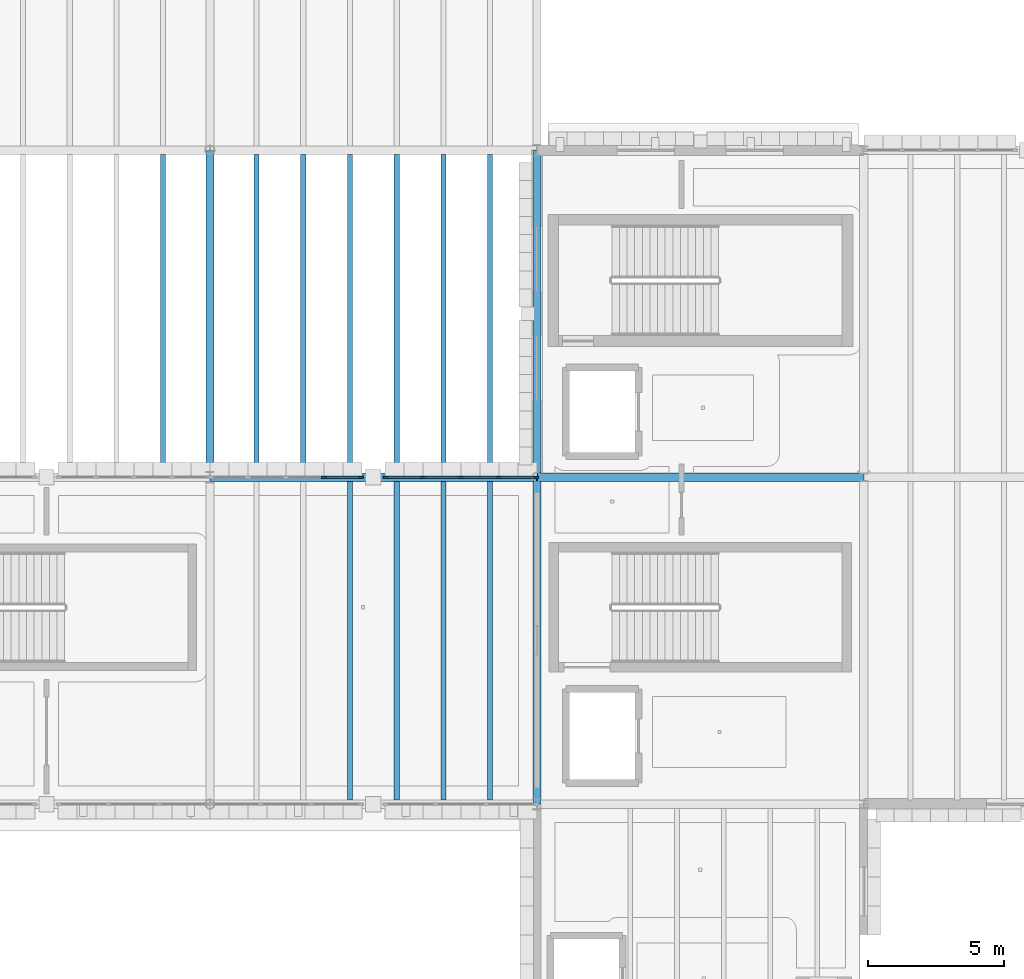
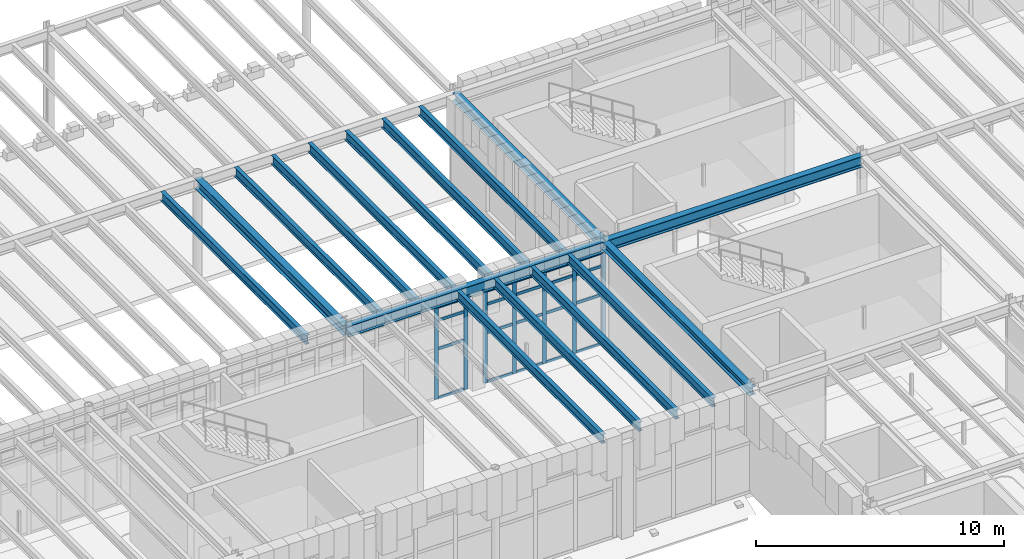
# One storey, part 35 of 100: 27 members, 16 beams, 2 elements without a shape of their own.
"""IFC4 building model written with IfcOpenShell, lengths in metres."""

from ifc_helpers import new_model, si_unit, direction, frame, origin, origin_2d, place, context, subcontext, project, spatial, rectangle, i_section, extrude, material, layer, layer_set, material_profile, profile_set, type_object, element, aggregate, save


model = new_model("IFC4")

# Units and contexts
model_context = context("Model", 3, precision=1e-05, world=origin(), true_north=direction((0.0, 1.0)))
body_context = subcontext(model_context, "Body", "Model", "MODEL_VIEW")
ifc_project = project(units=[si_unit("LENGTHUNIT", "METRE"), si_unit("AREAUNIT", "SQUARE_METRE"), si_unit("VOLUMEUNIT", "CUBIC_METRE"), si_unit("PLANEANGLEUNIT", "RADIAN"), si_unit("MASSUNIT", "GRAM", prefix="KILO")], contexts=[model_context])

# Site, building, storey
site_placement = place(None, origin())
site = spatial("IfcSite", under=ifc_project, at=site_placement, CompositionType="ELEMENT")
building_placement = place(site_placement, origin())
building = spatial("IfcBuilding", under=site, at=building_placement, Name="Zlatogorsky Bluff Art Gallery", CompositionType="ELEMENT")
storey_placement = place(building_placement, frame((0.0, 0.0, 5.39990234375)))
storey = spatial("IfcBuildingStorey", under=building, at=storey_placement, Name="L01", CompositionType="ELEMENT", Elevation=5.39990234375)

# Beams
ifc_material_1 = material(Name="Steel S355", Category="steel")
ifc_material_profile_1 = material_profile(ifc_material_1, i_section(OverallWidth=0.300048828125, OverallDepth=0.5400390625, WebThickness=0.012451171875, FlangeThickness=0.02392578125, FilletRadius=0.027099609375, at=origin_2d()), Name="HEA 550")
ifc_profile_set_1 = profile_set([ifc_material_profile_1], Name="Steel S355")
beam_type_1 = type_object("IfcBeamType", Name="Beam BM-06 HEA 550", PredefinedType="BEAM", material=ifc_profile_set_1)
for number, where, z_axis, x_axis, name in (
    (1, (108.014892578125, 96.0, 4.840087890625), (1.0, 0.0, 0.0), (0.0, 1.0, 0.0), "Primary girder BM-06 L01 K-L/10"),
    (2, (120.014892578125, 96.0, 4.840087890625), (1.0, 0.0, 0.0), (0.0, 1.0, 0.0), "Primary girder BM-06 L01 L-M/10"),
):
    element("IfcBeam", number, at=place(storey_placement, frame(where, z_axis=z_axis, x_axis=x_axis)), inside=storey, type_object=beam_type_1, Name=name, PredefinedType="BEAM", context=body_context, shape_type="SweptSolid", body=[
        extrude(i_section(OverallWidth=0.300048828125, OverallDepth=0.5400390625, WebThickness=0.012451171875, FlangeThickness=0.02392578125, FilletRadius=0.027099609375, at=origin_2d()), origin(), (0.0, 0.0, 1.0), 11.97021484375),
    ])
ifc_material_profile_2 = material_profile(ifc_material_1, i_section(OverallWidth=0.300048828125, OverallDepth=0.489990234375, WebThickness=0.011962890625, FlangeThickness=0.02294921875, FilletRadius=0.027099609375, at=origin_2d()), Name="HEA 500")
ifc_profile_set_2 = profile_set([ifc_material_profile_2], Name="Steel S355")
beam_type_2 = type_object("IfcBeamType", Name="Beam BM-07 HEA 500", PredefinedType="BEAM", material=ifc_profile_set_2)
beam_placement = place(storey_placement, frame((108.0, 96.014892578125, 4.864990234375), z_axis=(0.0, 1.0, 0.0), x_axis=(-1.0, 0.0, 0.0)))
element("IfcBeam", 3, at=beam_placement, inside=storey, type_object=beam_type_2, Name="Primary girder BM-07 L01 K/10-11", PredefinedType="BEAM", context=body_context, shape_type="SweptSolid", body=[
    extrude(i_section(OverallWidth=0.300048828125, OverallDepth=0.489990234375, WebThickness=0.011962890625, FlangeThickness=0.02294921875, FilletRadius=0.027099609375, at=origin_2d()), origin(), (0.0, 0.0, 1.0), 11.97021484375),
])
ifc_material_profile_3 = material_profile(ifc_material_1, i_section(OverallWidth=0.300048828125, OverallDepth=0.389892578125, WebThickness=0.010986328125, FlangeThickness=0.01904296875, FilletRadius=0.027099609375, at=origin_2d()), Name="HEA 400")
ifc_profile_set_3 = profile_set([ifc_material_profile_3], Name="Steel S355")
beam_type_3 = type_object("IfcBeamType", Name="Beam BM-09 HEA 400", PredefinedType="BEAM", material=ifc_profile_set_3)
for number, where, z_axis, x_axis, name in (
    (4, (120.0, 84.014892578125, 4.9150390625), (0.0, 1.0, 0.0), (-1.0, 0.0, 0.0), "Primary girder BM-09 L01 L/9-10"),
    (5, (120.0, 96.014892578125, 4.9150390625), (0.0, 1.0, 0.0), (-1.0, 0.0, 0.0), "Primary girder BM-09 L01 L/10-11"),
):
    element("IfcBeam", number, at=place(storey_placement, frame(where, z_axis=z_axis, x_axis=x_axis)), inside=storey, type_object=beam_type_3, Name=name, PredefinedType="BEAM", context=body_context, shape_type="SweptSolid", body=[
        extrude(i_section(OverallWidth=0.300048828125, OverallDepth=0.389892578125, WebThickness=0.010986328125, FlangeThickness=0.01904296875, FilletRadius=0.027099609375, at=origin_2d()), origin(), (0.0, 0.0, 1.0), 11.97021484375),
    ])
ifc_material_profile_4 = material_profile(ifc_material_1, i_section(OverallWidth=0.18994140625, OverallDepth=0.449951171875, WebThickness=0.009521484375, FlangeThickness=0.0146484375, FilletRadius=0.02099609375, at=origin_2d()), Name="IPE 450")
ifc_profile_set_4 = profile_set([ifc_material_profile_4], Name="Steel S355")
beam_type_4 = type_object("IfcBeamType", Name="Beam JS-06 IPE 450", PredefinedType="JOIST", material=ifc_profile_set_4)
for number, where, z_axis, x_axis, name in (
    (6, (106.28564453125, 96.14990234375, 4.885009765625), (0.0, 1.0, 0.0), (-1.0, 0.0, 0.0), "Composite floor joist JS-06 L01 08.09.6"),
    (7, (113.142822265625, 84.14990234375, 4.885009765625), (0.0, 1.0, 0.0), (-1.0, 0.0, 0.0), "Composite floor joist JS-06 L01 09.08.3"),
    (8, (114.857177734375, 84.14990234375, 4.885009765625), (0.0, 1.0, 0.0), (-1.0, 0.0, 0.0), "Composite floor joist JS-06 L01 09.08.4"),
    (9, (116.571533203125, 84.14990234375, 4.885009765625), (0.0, 1.0, 0.0), (-1.0, 0.0, 0.0), "Composite floor joist JS-06 L01 09.08.5"),
    (10, (118.28564453125, 84.14990234375, 4.885009765625), (0.0, 1.0, 0.0), (-1.0, 0.0, 0.0), "Composite floor joist JS-06 L01 09.08.6"),
    (11, (109.71435546875, 96.14990234375, 4.885009765625), (0.0, 1.0, 0.0), (-1.0, 0.0, 0.0), "Composite floor joist JS-06 L01 09.09.1"),
    (12, (111.428466796875, 96.14990234375, 4.885009765625), (0.0, 1.0, 0.0), (-1.0, 0.0, 0.0), "Composite floor joist JS-06 L01 09.09.2"),
    (13, (113.142822265625, 96.14990234375, 4.885009765625), (0.0, 1.0, 0.0), (-1.0, 0.0, 0.0), "Composite floor joist JS-06 L01 09.09.3"),
    (14, (114.857177734375, 96.14990234375, 4.885009765625), (0.0, 1.0, 0.0), (-1.0, 0.0, 0.0), "Composite floor joist JS-06 L01 09.09.4"),
    (15, (116.571533203125, 96.14990234375, 4.885009765625), (0.0, 1.0, 0.0), (-1.0, 0.0, 0.0), "Composite floor joist JS-06 L01 09.09.5"),
    (16, (118.28564453125, 96.14990234375, 4.885009765625), (0.0, 1.0, 0.0), (-1.0, 0.0, 0.0), "Composite floor joist JS-06 L01 09.09.6"),
):
    element("IfcBeam", number, at=place(storey_placement, frame(where, z_axis=z_axis, x_axis=x_axis)), inside=storey, type_object=beam_type_4, Name=name, PredefinedType="JOIST", context=body_context, shape_type="SweptSolid", body=[
        extrude(i_section(OverallWidth=0.18994140625, OverallDepth=0.449951171875, WebThickness=0.009521484375, FlangeThickness=0.0146484375, FilletRadius=0.02099609375, at=origin_2d()), origin(), (0.0, 0.0, 1.0), 11.7001953125),
    ])

# Curtain wall, members
ifc_material_2 = material(Name="Anodised Bronze Aluminium and Low-Iron Triple Glazing", Category="aluminium")
ifc_layer = layer(ifc_material_2, 0.199951171875)
ifc_layer_set = layer_set([ifc_layer], Name="Curtain Wall CW-02")
curtain_wall_type = type_object("IfcCurtainWallType", Name="Curtain Wall CW-02", PredefinedType="USERDEFINED", material=ifc_layer_set)
curtain_wall_1_placement = place(storey_placement, origin())
curtain_wall_1 = element("IfcCurtainWall", 17, at=curtain_wall_1_placement, inside=storey, type_object=curtain_wall_type, Name="Unitised curtain wall CW-02 L01 N 9.8-A", ObjectType="CURTAIN WALL", PredefinedType="USERDEFINED")
ifc_material_3 = material(Name="Anodised Bronze Aluminium", Category="aluminium")
ifc_material_profile_5 = material_profile(ifc_material_3, rectangle(XDim=0.06494140625, YDim=0.179931640625, at=origin_2d()), Name="ALU MULLION 65x180")
ifc_profile_set_5 = profile_set([ifc_material_profile_5], Name="Anodised Bronze Aluminium")
member_type_1 = type_object("IfcMemberType", Name="Curtain Mullion ML-01", PredefinedType="MULLION", material=ifc_profile_set_5)
member_1_placement = place(storey_placement, frame((119.967529296875, 96.0, 0.0), z_axis=(0.0, 0.0, 1.0), x_axis=(0.0, -1.0, 0.0)))
member_1 = element("IfcMember", 18, at=member_1_placement, type_object=member_type_1, Name="CW-02 mullion 1", PredefinedType="MULLION", context=body_context, shape_type="SweptSolid", body=[
    extrude(rectangle(XDim=0.06494140625, YDim=0.179931640625, at=origin_2d()), origin(), (0.0, 0.0, 1.0), 4.530029296875),
])
member_2_placement = place(storey_placement, frame((118.60498046875, 96.0, 0.0), z_axis=(0.0, 0.0, 1.0), x_axis=(0.0, -1.0, 0.0)))
member_2 = element("IfcMember", 19, at=member_2_placement, type_object=member_type_1, Name="CW-02 mullion 2", PredefinedType="MULLION", context=body_context, shape_type="SweptSolid", body=[
    extrude(rectangle(XDim=0.06494140625, YDim=0.179931640625, at=origin_2d()), origin(), (0.0, 0.0, 1.0), 4.530029296875),
])
member_3_placement = place(storey_placement, frame((117.2099609375, 96.0, 0.0), z_axis=(0.0, 0.0, 1.0), x_axis=(0.0, -1.0, 0.0)))
member_3 = element("IfcMember", 20, at=member_3_placement, type_object=member_type_1, Name="CW-02 mullion 3", PredefinedType="MULLION", context=body_context, shape_type="SweptSolid", body=[
    extrude(rectangle(XDim=0.06494140625, YDim=0.179931640625, at=origin_2d()), origin(), (0.0, 0.0, 1.0), 4.530029296875),
])
member_4_placement = place(storey_placement, frame((115.81494140625, 96.0, 0.0), z_axis=(0.0, 0.0, 1.0), x_axis=(0.0, -1.0, 0.0)))
member_4 = element("IfcMember", 21, at=member_4_placement, type_object=member_type_1, Name="CW-02 mullion 4", PredefinedType="MULLION", context=body_context, shape_type="SweptSolid", body=[
    extrude(rectangle(XDim=0.06494140625, YDim=0.179931640625, at=origin_2d()), origin(), (0.0, 0.0, 1.0), 4.530029296875),
])
member_5_placement = place(storey_placement, frame((114.452392578125, 96.0, 0.0), z_axis=(0.0, 0.0, 1.0), x_axis=(0.0, -1.0, 0.0)))
member_5 = element("IfcMember", 22, at=member_5_placement, type_object=member_type_1, Name="CW-02 mullion 5", PredefinedType="MULLION", context=body_context, shape_type="SweptSolid", body=[
    extrude(rectangle(XDim=0.06494140625, YDim=0.179931640625, at=origin_2d()), origin(), (0.0, 0.0, 1.0), 4.530029296875),
])

curtain_wall_2_placement = place(storey_placement, origin())
curtain_wall_2 = element("IfcCurtainWall", 23, at=curtain_wall_2_placement, inside=storey, type_object=curtain_wall_type, Name="Unitised curtain wall CW-02 L01 N 9.8-B", ObjectType="CURTAIN WALL", PredefinedType="USERDEFINED")
member_6_placement = place(storey_placement, frame((113.547607421875, 96.0, 0.0), z_axis=(0.0, 0.0, 1.0), x_axis=(0.0, -1.0, 0.0)))
member_6 = element("IfcMember", 24, at=member_6_placement, type_object=member_type_1, Name="CW-02 mullion 1", PredefinedType="MULLION", context=body_context, shape_type="SweptSolid", body=[
    extrude(rectangle(XDim=0.06494140625, YDim=0.179931640625, at=origin_2d()), origin(), (0.0, 0.0, 1.0), 4.530029296875),
])
member_7_placement = place(storey_placement, frame((112.18505859375, 96.0, 0.0), z_axis=(0.0, 0.0, 1.0), x_axis=(0.0, -1.0, 0.0)))
member_7 = element("IfcMember", 25, at=member_7_placement, type_object=member_type_1, Name="CW-02 mullion 2", PredefinedType="MULLION", context=body_context, shape_type="SweptSolid", body=[
    extrude(rectangle(XDim=0.06494140625, YDim=0.179931640625, at=origin_2d()), origin(), (0.0, 0.0, 1.0), 4.530029296875),
])

# Member
ifc_material_profile_6 = material_profile(ifc_material_3, rectangle(XDim=0.06494140625, YDim=0.139892578125, at=origin_2d()), Name="ALU TRANSOM 65x140")
ifc_profile_set_6 = profile_set([ifc_material_profile_6], Name="Anodised Bronze Aluminium")
member_type_2 = type_object("IfcMemberType", Name="Curtain Transom TR-01", PredefinedType="USERDEFINED", material=ifc_profile_set_6)
member_8_placement = place(storey_placement, frame((119.93505859375, 96.0, 0.03271484375), z_axis=(-1.0, 0.0, 0.0), x_axis=(0.0, -1.0, 0.0)))
member_8 = element("IfcMember", 26, at=member_8_placement, type_object=member_type_2, Name="CW-02 transom 1.1", ObjectType="TRANSOM", PredefinedType="USERDEFINED", context=body_context, shape_type="SweptSolid", body=[
    extrude(rectangle(XDim=0.06494140625, YDim=0.139892578125, at=origin_2d()), origin(), (0.0, 0.0, 1.0), 1.297607421875),
])

member_9_placement = place(storey_placement, frame((119.93505859375, 96.0, 2.4501953125), z_axis=(-1.0, 0.0, 0.0), x_axis=(0.0, -1.0, 0.0)))
member_9 = element("IfcMember", 27, at=member_9_placement, type_object=member_type_2, Name="CW-02 transom 1.2", ObjectType="TRANSOM", PredefinedType="USERDEFINED", context=body_context, shape_type="SweptSolid", body=[
    extrude(rectangle(XDim=0.06494140625, YDim=0.139892578125, at=origin_2d()), origin(), (0.0, 0.0, 1.0), 1.297607421875),
])

member_10_placement = place(storey_placement, frame((119.93505859375, 96.0, 3.85009765625), z_axis=(-1.0, 0.0, 0.0), x_axis=(0.0, -1.0, 0.0)))
member_10 = element("IfcMember", 28, at=member_10_placement, type_object=member_type_2, Name="CW-02 transom 1.3", ObjectType="TRANSOM", PredefinedType="USERDEFINED", context=body_context, shape_type="SweptSolid", body=[
    extrude(rectangle(XDim=0.06494140625, YDim=0.139892578125, at=origin_2d()), origin(), (0.0, 0.0, 1.0), 1.297607421875),
])

member_11_placement = place(storey_placement, frame((119.93505859375, 96.0, 4.49755859375), z_axis=(-1.0, 0.0, 0.0), x_axis=(0.0, -1.0, 0.0)))
member_11 = element("IfcMember", 29, at=member_11_placement, type_object=member_type_2, Name="CW-02 transom 1.4", ObjectType="TRANSOM", PredefinedType="USERDEFINED", context=body_context, shape_type="SweptSolid", body=[
    extrude(rectangle(XDim=0.06494140625, YDim=0.139892578125, at=origin_2d()), origin(), (0.0, 0.0, 1.0), 1.297607421875),
])

member_12_placement = place(storey_placement, frame((118.572509765625, 96.0, 0.03271484375), z_axis=(-1.0, 0.0, 0.0), x_axis=(0.0, -1.0, 0.0)))
member_12 = element("IfcMember", 30, at=member_12_placement, type_object=member_type_2, Name="CW-02 transom 2.1", ObjectType="TRANSOM", PredefinedType="USERDEFINED", context=body_context, shape_type="SweptSolid", body=[
    extrude(rectangle(XDim=0.06494140625, YDim=0.139892578125, at=origin_2d()), origin(), (0.0, 0.0, 1.0), 1.330078125),
])

member_13_placement = place(storey_placement, frame((118.572509765625, 96.0, 2.4501953125), z_axis=(-1.0, 0.0, 0.0), x_axis=(0.0, -1.0, 0.0)))
member_13 = element("IfcMember", 31, at=member_13_placement, type_object=member_type_2, Name="CW-02 transom 2.2", ObjectType="TRANSOM", PredefinedType="USERDEFINED", context=body_context, shape_type="SweptSolid", body=[
    extrude(rectangle(XDim=0.06494140625, YDim=0.139892578125, at=origin_2d()), origin(), (0.0, 0.0, 1.0), 1.330078125),
])

member_14_placement = place(storey_placement, frame((118.572509765625, 96.0, 3.85009765625), z_axis=(-1.0, 0.0, 0.0), x_axis=(0.0, -1.0, 0.0)))
member_14 = element("IfcMember", 32, at=member_14_placement, type_object=member_type_2, Name="CW-02 transom 2.3", ObjectType="TRANSOM", PredefinedType="USERDEFINED", context=body_context, shape_type="SweptSolid", body=[
    extrude(rectangle(XDim=0.06494140625, YDim=0.139892578125, at=origin_2d()), origin(), (0.0, 0.0, 1.0), 1.330078125),
])

member_15_placement = place(storey_placement, frame((118.572509765625, 96.0, 4.49755859375), z_axis=(-1.0, 0.0, 0.0), x_axis=(0.0, -1.0, 0.0)))
member_15 = element("IfcMember", 33, at=member_15_placement, type_object=member_type_2, Name="CW-02 transom 2.4", ObjectType="TRANSOM", PredefinedType="USERDEFINED", context=body_context, shape_type="SweptSolid", body=[
    extrude(rectangle(XDim=0.06494140625, YDim=0.139892578125, at=origin_2d()), origin(), (0.0, 0.0, 1.0), 1.330078125),
])

member_16_placement = place(storey_placement, frame((117.177490234375, 96.0, 0.03271484375), z_axis=(-1.0, 0.0, 0.0), x_axis=(0.0, -1.0, 0.0)))
member_16 = element("IfcMember", 34, at=member_16_placement, type_object=member_type_2, Name="CW-02 transom 3.1", ObjectType="TRANSOM", PredefinedType="USERDEFINED", context=body_context, shape_type="SweptSolid", body=[
    extrude(rectangle(XDim=0.06494140625, YDim=0.139892578125, at=origin_2d()), origin(), (0.0, 0.0, 1.0), 1.330078125),
])

member_17_placement = place(storey_placement, frame((117.177490234375, 96.0, 2.4501953125), z_axis=(-1.0, 0.0, 0.0), x_axis=(0.0, -1.0, 0.0)))
member_17 = element("IfcMember", 35, at=member_17_placement, type_object=member_type_2, Name="CW-02 transom 3.2", ObjectType="TRANSOM", PredefinedType="USERDEFINED", context=body_context, shape_type="SweptSolid", body=[
    extrude(rectangle(XDim=0.06494140625, YDim=0.139892578125, at=origin_2d()), origin(), (0.0, 0.0, 1.0), 1.330078125),
])

member_18_placement = place(storey_placement, frame((117.177490234375, 96.0, 3.85009765625), z_axis=(-1.0, 0.0, 0.0), x_axis=(0.0, -1.0, 0.0)))
member_18 = element("IfcMember", 36, at=member_18_placement, type_object=member_type_2, Name="CW-02 transom 3.3", ObjectType="TRANSOM", PredefinedType="USERDEFINED", context=body_context, shape_type="SweptSolid", body=[
    extrude(rectangle(XDim=0.06494140625, YDim=0.139892578125, at=origin_2d()), origin(), (0.0, 0.0, 1.0), 1.330078125),
])

member_19_placement = place(storey_placement, frame((117.177490234375, 96.0, 4.49755859375), z_axis=(-1.0, 0.0, 0.0), x_axis=(0.0, -1.0, 0.0)))
member_19 = element("IfcMember", 37, at=member_19_placement, type_object=member_type_2, Name="CW-02 transom 3.4", ObjectType="TRANSOM", PredefinedType="USERDEFINED", context=body_context, shape_type="SweptSolid", body=[
    extrude(rectangle(XDim=0.06494140625, YDim=0.139892578125, at=origin_2d()), origin(), (0.0, 0.0, 1.0), 1.330078125),
])

member_20_placement = place(storey_placement, frame((115.782470703125, 96.0, 0.03271484375), z_axis=(-1.0, 0.0, 0.0), x_axis=(0.0, -1.0, 0.0)))
member_20 = element("IfcMember", 38, at=member_20_placement, type_object=member_type_2, Name="CW-02 transom 4.1", ObjectType="TRANSOM", PredefinedType="USERDEFINED", context=body_context, shape_type="SweptSolid", body=[
    extrude(rectangle(XDim=0.06494140625, YDim=0.139892578125, at=origin_2d()), origin(), (0.0, 0.0, 1.0), 1.29736328125),
])

member_21_placement = place(storey_placement, frame((115.782470703125, 96.0, 2.4501953125), z_axis=(-1.0, 0.0, 0.0), x_axis=(0.0, -1.0, 0.0)))
member_21 = element("IfcMember", 39, at=member_21_placement, type_object=member_type_2, Name="CW-02 transom 4.2", ObjectType="TRANSOM", PredefinedType="USERDEFINED", context=body_context, shape_type="SweptSolid", body=[
    extrude(rectangle(XDim=0.06494140625, YDim=0.139892578125, at=origin_2d()), origin(), (0.0, 0.0, 1.0), 1.29736328125),
])

member_22_placement = place(storey_placement, frame((115.782470703125, 96.0, 3.85009765625), z_axis=(-1.0, 0.0, 0.0), x_axis=(0.0, -1.0, 0.0)))
member_22 = element("IfcMember", 40, at=member_22_placement, type_object=member_type_2, Name="CW-02 transom 4.3", ObjectType="TRANSOM", PredefinedType="USERDEFINED", context=body_context, shape_type="SweptSolid", body=[
    extrude(rectangle(XDim=0.06494140625, YDim=0.139892578125, at=origin_2d()), origin(), (0.0, 0.0, 1.0), 1.29736328125),
])

member_23_placement = place(storey_placement, frame((115.782470703125, 96.0, 4.49755859375), z_axis=(-1.0, 0.0, 0.0), x_axis=(0.0, -1.0, 0.0)))
member_23 = element("IfcMember", 41, at=member_23_placement, type_object=member_type_2, Name="CW-02 transom 4.4", ObjectType="TRANSOM", PredefinedType="USERDEFINED", context=body_context, shape_type="SweptSolid", body=[
    extrude(rectangle(XDim=0.06494140625, YDim=0.139892578125, at=origin_2d()), origin(), (0.0, 0.0, 1.0), 1.29736328125),
])

aggregate(curtain_wall_1, [member_1, member_2, member_3, member_4, member_5, member_8, member_9, member_10, member_11, member_12, member_13, member_14, member_15, member_16, member_17, member_18, member_19, member_20, member_21, member_22, member_23])

member_24_placement = place(storey_placement, frame((113.514892578125, 96.0, 0.03271484375), z_axis=(-1.0, 0.0, 0.0), x_axis=(0.0, -1.0, 0.0)))
member_24 = element("IfcMember", 42, at=member_24_placement, type_object=member_type_2, Name="CW-02 transom 1.1", ObjectType="TRANSOM", PredefinedType="USERDEFINED", context=body_context, shape_type="SweptSolid", body=[
    extrude(rectangle(XDim=0.06494140625, YDim=0.139892578125, at=origin_2d()), origin(), (0.0, 0.0, 1.0), 1.29736328125),
])

member_25_placement = place(storey_placement, frame((113.514892578125, 96.0, 2.4501953125), z_axis=(-1.0, 0.0, 0.0), x_axis=(0.0, -1.0, 0.0)))
member_25 = element("IfcMember", 43, at=member_25_placement, type_object=member_type_2, Name="CW-02 transom 1.2", ObjectType="TRANSOM", PredefinedType="USERDEFINED", context=body_context, shape_type="SweptSolid", body=[
    extrude(rectangle(XDim=0.06494140625, YDim=0.139892578125, at=origin_2d()), origin(), (0.0, 0.0, 1.0), 1.29736328125),
])

member_26_placement = place(storey_placement, frame((113.514892578125, 96.0, 3.85009765625), z_axis=(-1.0, 0.0, 0.0), x_axis=(0.0, -1.0, 0.0)))
member_26 = element("IfcMember", 44, at=member_26_placement, type_object=member_type_2, Name="CW-02 transom 1.3", ObjectType="TRANSOM", PredefinedType="USERDEFINED", context=body_context, shape_type="SweptSolid", body=[
    extrude(rectangle(XDim=0.06494140625, YDim=0.139892578125, at=origin_2d()), origin(), (0.0, 0.0, 1.0), 1.29736328125),
])

member_27_placement = place(storey_placement, frame((113.514892578125, 96.0, 4.49755859375), z_axis=(-1.0, 0.0, 0.0), x_axis=(0.0, -1.0, 0.0)))
member_27 = element("IfcMember", 45, at=member_27_placement, type_object=member_type_2, Name="CW-02 transom 1.4", ObjectType="TRANSOM", PredefinedType="USERDEFINED", context=body_context, shape_type="SweptSolid", body=[
    extrude(rectangle(XDim=0.06494140625, YDim=0.139892578125, at=origin_2d()), origin(), (0.0, 0.0, 1.0), 1.29736328125),
])

aggregate(curtain_wall_2, [member_6, member_7, member_24, member_25, member_26, member_27])

save(model, "model.ifc")
